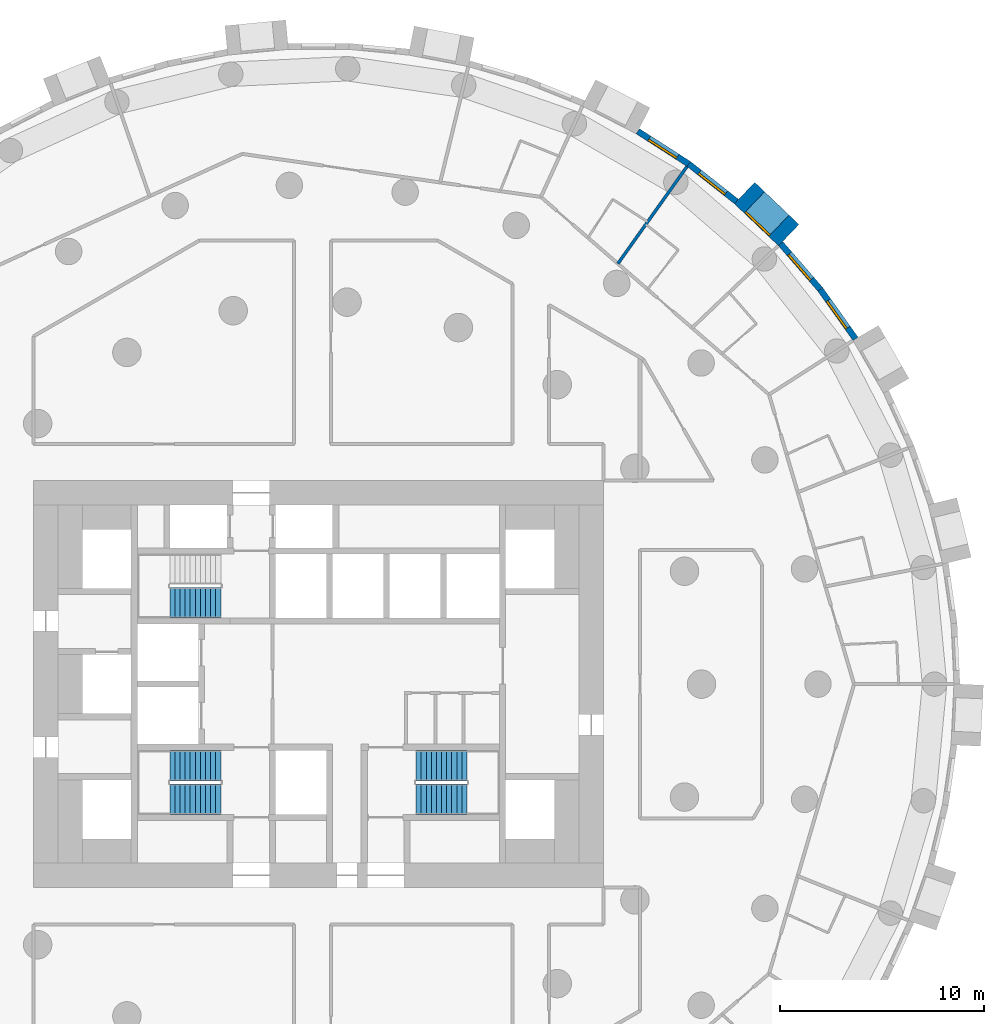
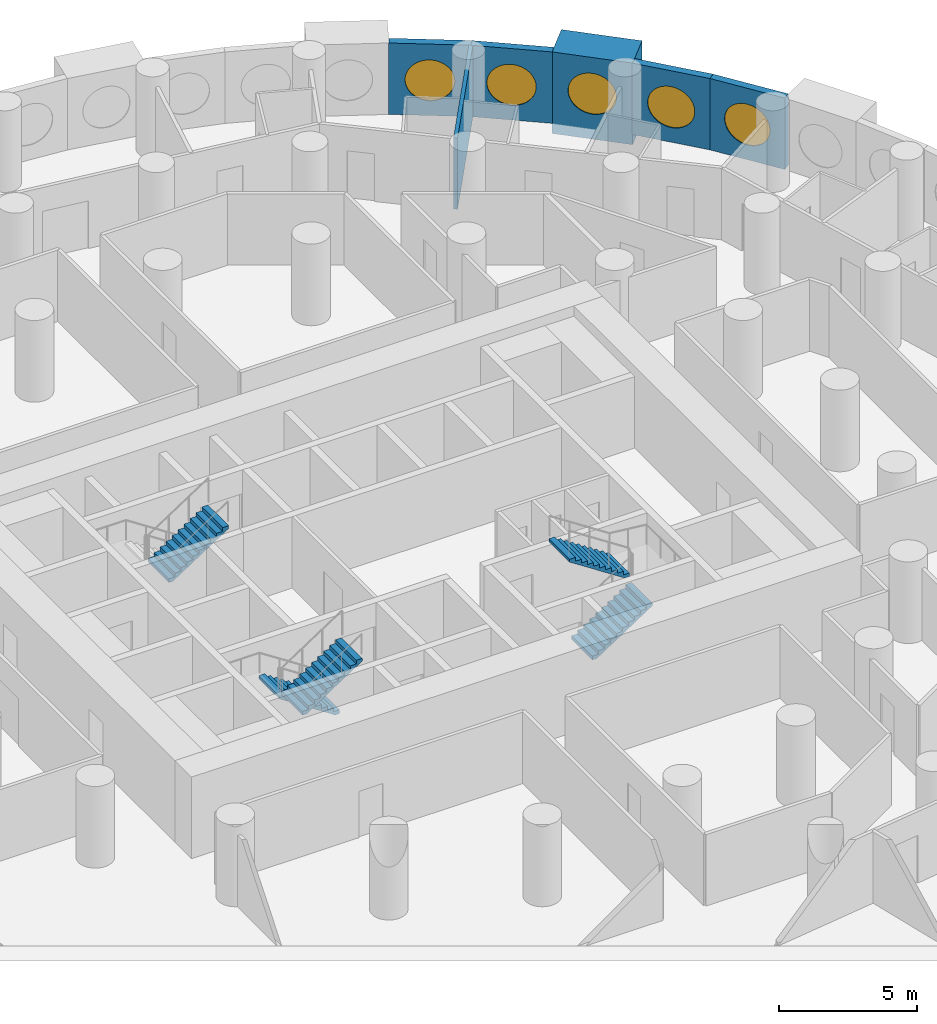
# One storey, part 10 of 12: 6 walls, 5 stair flights, 5 windows, 5 openings, 3 elements without a shape of their own.
"""IFC4 building model written with IfcOpenShell, lengths in metres."""

from ifc_helpers import new_model, si_unit, direction, frame, frame_2d, origin, origin_2d, place, context, subcontext, project, spatial, polyline, rectangle, circle, outline, extrude, material, layer, layer_set, type_object, element, fill, aggregate, save


model = new_model("IFC4")

# Units and contexts
model_context = context("Model", 3, precision=1e-05, world=origin(), true_north=direction((0.0, 1.0)))
body_context = subcontext(model_context, "Body", "Model", "MODEL_VIEW")
ifc_project = project(units=[si_unit("LENGTHUNIT", "METRE"), si_unit("AREAUNIT", "SQUARE_METRE"), si_unit("VOLUMEUNIT", "CUBIC_METRE"), si_unit("PLANEANGLEUNIT", "RADIAN"), si_unit("MASSUNIT", "GRAM", prefix="KILO")], contexts=[model_context])

# Site, building, storey
site_placement = place(None, origin())
site = spatial("IfcSite", under=ifc_project, at=site_placement, CompositionType="ELEMENT")
building_placement = place(site_placement, origin())
building = spatial("IfcBuilding", under=site, at=building_placement, Name="Tracery Tower", CompositionType="ELEMENT")
storey_placement = place(building_placement, frame((0.0, 0.0, 75.0)))
storey = spatial("IfcBuildingStorey", under=building, at=storey_placement, Name="L18", CompositionType="ELEMENT", Elevation=75.0)

# Wall, opening, window
ifc_material_1 = material(Name="Precast concrete C50/60", Category="concrete")
ifc_layer_1 = layer(ifc_material_1, 1.449951171875)
ifc_layer_set_1 = layer_set([ifc_layer_1], Name="Deep-set bay unit 3000 x 3600, slab edge 450")
wall_type_1 = type_object("IfcWallType", Name="Deep-set bay unit 3000 x 3600, slab edge 450", PredefinedType="ELEMENTEDWALL", material=ifc_layer_set_1)
wall_1_placement = place(storey_placement, frame((23.108642578125, 22.06201171875, -0.449951171875), z_axis=(0.0, 0.0, 1.0), x_axis=(-0.723712023899, 0.690102098579, 0.0)))
wall_1 = element("IfcWall", 1, at=wall_1_placement, inside=storey, type_object=wall_type_1, Name="Deep-set bay unit 9 at L18", PredefinedType="ELEMENTEDWALL", context=body_context, shape_type="SweptSolid", body=[
    extrude(rectangle(XDim=3.0, YDim=1.449951171875, at=frame_2d((1.5, 0.0))), origin(), (0.0, 0.0, 1.0), 3.599853515625),
])
opening_1_placement = place(wall_1_placement, frame((1.5, 0.0, 2.0)))
opening_1 = element("IfcOpeningElement", 2, at=opening_1_placement, cuts=wall_1, Name="Opening WN1", PredefinedType="OPENING", context=body_context, shape_type="SweptSolid", body=[
    extrude(circle(Radius=0.9000244140625, at=origin_2d()), frame((0.0, 0.73486328125, 0.0), z_axis=(0.0, -1.0, 0.0), x_axis=(1.0, 0.0, 0.0)), (0.0, 0.0, 1.0), 1.469970703125),
])
ifc_material_2 = material(Name="Aluminium frame with tinted double glazing", Category="aluminium")
window_type = type_object("IfcWindowType", Name="Round window 1800", PartitioningType="SINGLE_PANEL", PredefinedType="WINDOW", material=ifc_material_2)
window_1_placement = place(opening_1_placement, origin())
window_1 = element("IfcWindow", 3, at=window_1_placement, inside=storey, type_object=window_type, Name="Round window 9 at L18", OverallHeight=1.800048828125, OverallWidth=1.800048828125, PartitioningType="SINGLE_PANEL", PredefinedType="WINDOW", context=body_context, shape_type="SweptSolid", body=[
    extrude(circle(Radius=0.9000244140625, at=origin_2d()), frame((0.0, 0.69482421875, 0.0), z_axis=(0.0, -1.0, 0.0), x_axis=(1.0, 0.0, 0.0)), (0.0, 0.0, 1.0), 0.10009765625),
])
fill(opening_1, window_1)

ifc_material_3 = material(Name="Precast concrete C50/60", Category="concrete")
ifc_layer_2 = layer(ifc_material_3, 0.300048828125)
ifc_layer_set_2 = layer_set([ifc_layer_2], Name="Facade panel 3000 x 3150")
wall_type_2 = type_object("IfcWallType", Name="Facade panel 3000 x 3150", PredefinedType="SOLIDWALL", material=ifc_layer_set_2)
wall_2_placement = place(storey_placement, frame((26.390380859375, 16.96728515625, 0.0), z_axis=(0.0, 0.0, 1.0), x_axis=(-0.580113774115, 0.814535456, 0.0)))
wall_2 = element("IfcWall", 4, at=wall_2_placement, inside=storey, type_object=wall_type_2, Name="Facade panel 7 at L18", PredefinedType="SOLIDWALL", context=body_context, shape_type="SweptSolid", body=[
    extrude(rectangle(XDim=2.979736328125, YDim=0.300048828125, at=frame_2d((1.48974609375, 0.0))), origin(), (0.0, 0.0, 1.0), 3.14990234375),
])
opening_2_placement = place(wall_2_placement, frame((1.48974609375, 0.0, 1.5498046875)))
opening_2 = element("IfcOpeningElement", 5, at=opening_2_placement, cuts=wall_2, Name="Opening WN1", PredefinedType="OPENING", context=body_context, shape_type="SweptSolid", body=[
    extrude(circle(Radius=0.9000244140625, at=origin_2d()), frame((0.0, 0.159912109375, 0.0), z_axis=(0.0, -1.0, 0.0), x_axis=(1.0, 0.0, 0.0)), (0.0, 0.0, 1.0), 0.320068359375),
])
window_2_placement = place(opening_2_placement, origin())
window_2 = element("IfcWindow", 6, at=window_2_placement, inside=storey, type_object=window_type, Name="Round window 7 at L18", OverallHeight=1.800048828125, OverallWidth=1.800048828125, PartitioningType="SINGLE_PANEL", PredefinedType="WINDOW", context=body_context, shape_type="SweptSolid", body=[
    extrude(circle(Radius=0.9000244140625, at=origin_2d()), frame((0.0, 0.1201171875, 0.0), z_axis=(0.0, -1.0, 0.0), x_axis=(1.0, 0.0, 0.0)), (0.0, 0.0, 1.0), 0.10009765625),
])
fill(opening_2, window_2)

wall_3_placement = place(storey_placement, frame((24.661865234375, 19.394287109375, 0.0), z_axis=(0.0, 0.0, 1.0), x_axis=(-0.654830712471, 0.755775587066, 0.0)))
wall_3 = element("IfcWall", 7, at=wall_3_placement, inside=storey, type_object=wall_type_2, Name="Facade panel 8 at L18", PredefinedType="SOLIDWALL", context=body_context, shape_type="SweptSolid", body=[
    extrude(rectangle(XDim=2.979736328125, YDim=0.300048828125, at=frame_2d((1.48974609375, 0.0))), origin(), (0.0, 0.0, 1.0), 3.14990234375),
])
opening_3_placement = place(wall_3_placement, frame((1.48974609375, 0.0, 1.5498046875)))
opening_3 = element("IfcOpeningElement", 8, at=opening_3_placement, cuts=wall_3, Name="Opening WN1", PredefinedType="OPENING", context=body_context, shape_type="SweptSolid", body=[
    extrude(circle(Radius=0.9000244140625, at=origin_2d()), frame((0.0, 0.159912109375, 0.0), z_axis=(0.0, -1.0, 0.0), x_axis=(1.0, 0.0, 0.0)), (0.0, 0.0, 1.0), 0.320068359375),
])
window_3_placement = place(opening_3_placement, origin())
window_3 = element("IfcWindow", 9, at=window_3_placement, inside=storey, type_object=window_type, Name="Round window 8 at L18", OverallHeight=1.800048828125, OverallWidth=1.800048828125, PartitioningType="SINGLE_PANEL", PredefinedType="WINDOW", context=body_context, shape_type="SweptSolid", body=[
    extrude(circle(Radius=0.9000244140625, at=origin_2d()), frame((0.0, 0.1201171875, 0.0), z_axis=(0.0, -1.0, 0.0), x_axis=(1.0, 0.0, 0.0)), (0.0, 0.0, 1.0), 0.10009765625),
])
fill(opening_3, window_3)

wall_4_placement = place(storey_placement, frame((20.541015625, 23.715087890625, 0.0), z_axis=(0.0, 0.0, 1.0), x_axis=(-0.786053834673, 0.618158045322, 0.0)))
wall_4 = element("IfcWall", 10, at=wall_4_placement, inside=storey, type_object=wall_type_2, Name="Facade panel 10 at L18", PredefinedType="SOLIDWALL", context=body_context, shape_type="SweptSolid", body=[
    extrude(rectangle(XDim=2.9794921875, YDim=0.300048828125, at=frame_2d((1.48974609375, 0.0))), origin(), (0.0, 0.0, 1.0), 3.14990234375),
])
opening_4_placement = place(wall_4_placement, frame((1.48974609375, 0.0, 1.5498046875)))
opening_4 = element("IfcOpeningElement", 11, at=opening_4_placement, cuts=wall_4, Name="Opening WN1", PredefinedType="OPENING", context=body_context, shape_type="SweptSolid", body=[
    extrude(circle(Radius=0.9000244140625, at=origin_2d()), frame((0.0, 0.159912109375, 0.0), z_axis=(0.0, -1.0, 0.0), x_axis=(1.0, 0.0, 0.0)), (0.0, 0.0, 1.0), 0.320068359375),
])
window_4_placement = place(opening_4_placement, origin())
window_4 = element("IfcWindow", 12, at=window_4_placement, inside=storey, type_object=window_type, Name="Round window 10 at L18", OverallHeight=1.800048828125, OverallWidth=1.800048828125, PartitioningType="SINGLE_PANEL", PredefinedType="WINDOW", context=body_context, shape_type="SweptSolid", body=[
    extrude(circle(Radius=0.9000244140625, at=origin_2d()), frame((0.0, 0.1201171875, 0.0), z_axis=(0.0, -1.0, 0.0), x_axis=(1.0, 0.0, 0.0)), (0.0, 0.0, 1.0), 0.10009765625),
])
fill(opening_4, window_4)

wall_5_placement = place(storey_placement, frame((18.198974609375, 25.556884765625, 0.0), z_axis=(0.0, 0.0, 1.0), x_axis=(-0.841260995538, 0.54062920508, 0.0)))
wall_5 = element("IfcWall", 13, at=wall_5_placement, inside=storey, type_object=wall_type_2, Name="Facade panel 11 at L18", PredefinedType="SOLIDWALL", context=body_context, shape_type="SweptSolid", body=[
    extrude(rectangle(XDim=2.9794921875, YDim=0.300048828125, at=frame_2d((1.48974609375, 0.0))), origin(), (0.0, 0.0, 1.0), 3.14990234375),
])
opening_5_placement = place(wall_5_placement, frame((1.48974609375, 0.0, 1.5498046875)))
opening_5 = element("IfcOpeningElement", 14, at=opening_5_placement, cuts=wall_5, Name="Opening WN1", PredefinedType="OPENING", context=body_context, shape_type="SweptSolid", body=[
    extrude(circle(Radius=0.9000244140625, at=origin_2d()), frame((0.0, 0.159912109375, 0.0), z_axis=(0.0, -1.0, 0.0), x_axis=(1.0, 0.0, 0.0)), (0.0, 0.0, 1.0), 0.320068359375),
])
window_5_placement = place(opening_5_placement, origin())
window_5 = element("IfcWindow", 15, at=window_5_placement, inside=storey, type_object=window_type, Name="Round window 11 at L18", OverallHeight=1.800048828125, OverallWidth=1.800048828125, PartitioningType="SINGLE_PANEL", PredefinedType="WINDOW", context=body_context, shape_type="SweptSolid", body=[
    extrude(circle(Radius=0.9000244140625, at=origin_2d()), frame((0.0, 0.1201171875, 0.0), z_axis=(0.0, -1.0, 0.0), x_axis=(1.0, 0.0, 0.0)), (0.0, 0.0, 1.0), 0.10009765625),
])
fill(opening_5, window_5)

# Wall
ifc_material_4 = material(Name="Plasterboard on steel studs", Category="steel")
ifc_layer_3 = layer(ifc_material_4, 0.14990234375)
ifc_layer_set_3 = layer_set([ifc_layer_3], Name="Partition 150 acoustic unit wall")
wall_type_3 = type_object("IfcWallType", Name="Partition 150 acoustic unit wall", PredefinedType="PARTITIONING", material=ifc_layer_set_3)
wall_6_placement = place(storey_placement, frame((14.71533203125, 20.663818359375, 0.0), z_axis=(0.0, 0.0, 1.0), x_axis=(0.57995989616, 0.814645026282, 0.0)))
element("IfcWall", 16, at=wall_6_placement, inside=storey, type_object=wall_type_3, Name="Unit wall RA5-073", PredefinedType="PARTITIONING", context=body_context, shape_type="SweptSolid", body=[
    extrude(rectangle(XDim=5.85693359375, YDim=0.14990234375, at=frame_2d((2.928466796875, 0.0))), origin(), (0.0, 0.0, 1.0), 3.14990234375),
])

# Stair, stair flights
ifc_material_5 = material(Name="Concrete C32/40", Category="concrete")
stair_type = type_object("IfcStairType", Name="Core stair 22 risers", PredefinedType="HALF_TURN_STAIR", material=ifc_material_5)
stair_1_placement = place(storey_placement, origin())
stair_1 = element("IfcStair", 17, at=stair_1_placement, inside=storey, type_object=stair_type, Name="L18 stair ST1", PredefinedType="HALF_TURN_STAIR")
ifc_material_6 = material(Name="Concrete C32/40", Category="concrete")
stair_flight_type = type_object("IfcStairFlightType", Name="Core stair flight 11 risers", PredefinedType="STRAIGHT", material=ifc_material_6)
stair_flight_1_placement = place(storey_placement, frame((-4.800048828125, -4.0, 0.0), z_axis=(0.0, 0.0, 1.0), x_axis=(-1.0, 0.0, 0.0)))
stair_flight_1 = element("IfcStairFlight", 18, at=stair_flight_1_placement, type_object=stair_flight_type, Name="ST1 flight 1", NumberOfRisers=11, NumberOfTreads=10, PredefinedType="STRAIGHT", RiserHeight=0.163636364, TreadLength=0.25, context=body_context, shape_type="SweptSolid", body=[
    extrude(outline(polyline([(0.0, 0.0), (0.0, 0.002685546875), (0.0, 0.00537109375), (0.0, 0.008056640625), (0.0, 0.0107421875), (0.0, 0.013427734375), (0.0, 0.01611328125), (0.0, 0.018798828125), (0.0, 0.021484375), (0.0, 0.024169921875), (0.0, 0.02685546875), (0.0, 0.029541015625), (0.0, 0.0322265625), (0.0, 0.034912109375), (0.0, 0.03759765625), (0.0, 0.040283203125), (0.0, 0.04296875), (0.0, 0.045654296875), (0.0, 0.04833984375), (0.0, 0.051025390625), (0.0, 0.0537109375), (0.0, 0.056396484375), (0.0, 0.05908203125), (0.0, 0.061767578125), (0.0, 0.064453125), (0.0, 0.067138671875), (0.0, 0.06982421875), (0.0, 0.072509765625), (0.0, 0.0751953125), (0.0, 0.077880859375), (0.0, 0.08056640625), (0.0, 0.083251953125), (0.0, 0.0859375), (0.0, 0.088623046875), (0.0, 0.09130859375), (0.0, 0.093994140625), (0.0, 0.0966796875), (0.0, 0.099365234375), (0.0, 0.10205078125), (0.0, 0.104736328125), (0.0, 0.107421875), (0.0, 0.10986328125), (0.0, 0.112548828125), (0.0, 0.115234375), (0.0, 0.117919921875), (0.0, 0.12060546875), (0.0, 0.123291015625), (0.0, 0.1259765625), (0.0, 0.128662109375), (0.0, 0.13134765625), (0.0, 0.134033203125), (0.0, 0.13671875), (0.0, 0.139404296875), (0.0, 0.14208984375), (0.0, 0.144775390625), (0.0, 0.1474609375), (0.0, 0.150146484375), (0.0, 0.15283203125), (0.0, 0.155517578125), (0.0, 0.158203125), (0.0, 0.160888671875), (0.0, 0.16357421875), (0.25, 0.16357421875), (0.25, 0.327392578125), (0.5, 0.327392578125), (0.5, 0.490966796875), (0.75, 0.490966796875), (0.75, 0.654541015625), (1.0, 0.654541015625), (1.0, 0.818115234375), (1.25, 0.818115234375), (1.25, 0.98193359375), (1.5, 0.98193359375), (1.5, 1.1455078125), (1.75, 1.1455078125), (1.75, 1.30908203125), (2.0, 1.30908203125), (2.0, 1.47265625), (2.25, 1.47265625), (2.25, 1.636474609375), (2.5, 1.636474609375), (2.5, 1.634521484375), (2.5, 1.63232421875), (2.5, 1.63037109375), (2.5, 1.62841796875), (2.5, 1.62646484375), (2.5, 1.62451171875), (2.5, 1.62255859375), (2.5, 1.62060546875), (2.5, 1.61865234375), (2.5, 1.61669921875), (2.5, 1.61474609375), (2.5, 1.61279296875), (2.5, 1.61083984375), (2.5, 1.60888671875), (2.5, 1.60693359375), (2.5, 1.60498046875), (2.5, 1.60302734375), (2.5, 1.60107421875), (2.5, 1.59912109375), (2.5, 1.59716796875), (2.5, 1.59521484375), (2.5, 1.59326171875), (2.5, 1.59130859375), (2.5, 1.58935546875), (2.5, 1.58740234375), (2.5, 1.58544921875), (2.5, 1.58349609375), (2.5, 1.58154296875), (2.5, 1.57958984375), (2.5, 1.57763671875), (2.5, 1.57568359375), (2.5, 1.573486328125), (2.5, 1.571533203125), (2.5, 1.569580078125), (2.5, 1.567626953125), (2.5, 1.565673828125), (2.5, 1.563720703125), (2.5, 1.561767578125), (2.5, 1.559814453125), (2.5, 1.557861328125), (2.5, 1.555908203125), (2.5, 1.553955078125), (2.5, 1.552001953125), (2.5, 1.550048828125), (2.5, 1.548095703125), (2.5, 1.546142578125), (2.5, 1.544189453125), (2.5, 1.542236328125), (2.5, 1.540283203125), (2.5, 1.538330078125), (2.5, 1.536376953125), (2.5, 1.534423828125), (2.5, 1.532470703125), (2.5, 1.530517578125), (2.5, 1.528564453125), (2.5, 1.526611328125), (2.5, 1.524658203125), (2.5, 1.522705078125), (2.5, 1.520751953125), (2.5, 1.518798828125), (2.5, 1.516845703125), (0.182861328125, 0.0), (0.0, 0.0)])), frame((0.0, 0.75, 0.0), z_axis=(0.0, -1.0, 0.0), x_axis=(1.0, 0.0, 0.0)), (0.0, 0.0, 1.0), 1.5),
])
stair_flight_2_placement = place(storey_placement, frame((-7.300048828125, -5.64990234375, 1.800048828125), z_axis=(0.0, 0.0, 1.0), x_axis=(1.0, 0.0, 0.0)))
stair_flight_2 = element("IfcStairFlight", 19, at=stair_flight_2_placement, type_object=stair_flight_type, Name="ST1 flight 2", NumberOfRisers=11, NumberOfTreads=10, PredefinedType="STRAIGHT", RiserHeight=0.163636364, TreadLength=0.25, context=body_context, shape_type="SweptSolid", body=[
    extrude(outline(polyline([(0.0, 0.0), (0.0, 0.002685546875), (0.0, 0.00537109375), (0.0, 0.008056640625), (0.0, 0.0107421875), (0.0, 0.013427734375), (0.0, 0.01611328125), (0.0, 0.018798828125), (0.0, 0.021484375), (0.0, 0.024169921875), (0.0, 0.02685546875), (0.0, 0.029541015625), (0.0, 0.0322265625), (0.0, 0.034912109375), (0.0, 0.03759765625), (0.0, 0.040283203125), (0.0, 0.04296875), (0.0, 0.045654296875), (0.0, 0.04833984375), (0.0, 0.051025390625), (0.0, 0.0537109375), (0.0, 0.056396484375), (0.0, 0.05908203125), (0.0, 0.061767578125), (0.0, 0.064453125), (0.0, 0.067138671875), (0.0, 0.06982421875), (0.0, 0.072509765625), (0.0, 0.0751953125), (0.0, 0.077880859375), (0.0, 0.08056640625), (0.0, 0.083251953125), (0.0, 0.0859375), (0.0, 0.088623046875), (0.0, 0.09130859375), (0.0, 0.093994140625), (0.0, 0.0966796875), (0.0, 0.099365234375), (0.0, 0.10205078125), (0.0, 0.104736328125), (0.0, 0.107421875), (0.0, 0.10986328125), (0.0, 0.112548828125), (0.0, 0.115234375), (0.0, 0.117919921875), (0.0, 0.12060546875), (0.0, 0.123291015625), (0.0, 0.1259765625), (0.0, 0.128662109375), (0.0, 0.13134765625), (0.0, 0.134033203125), (0.0, 0.13671875), (0.0, 0.139404296875), (0.0, 0.14208984375), (0.0, 0.144775390625), (0.0, 0.1474609375), (0.0, 0.150146484375), (0.0, 0.15283203125), (0.0, 0.155517578125), (0.0, 0.158203125), (0.0, 0.160888671875), (0.0, 0.16357421875), (0.25, 0.16357421875), (0.25, 0.327392578125), (0.5, 0.327392578125), (0.5, 0.490966796875), (0.75, 0.490966796875), (0.75, 0.654541015625), (1.0, 0.654541015625), (1.0, 0.818115234375), (1.25, 0.818115234375), (1.25, 0.98193359375), (1.5, 0.98193359375), (1.5, 1.1455078125), (1.75, 1.1455078125), (1.75, 1.30908203125), (2.0, 1.30908203125), (2.0, 1.47265625), (2.25, 1.47265625), (2.25, 1.636474609375), (2.5, 1.636474609375), (2.5, 1.634521484375), (2.5, 1.63232421875), (2.5, 1.63037109375), (2.5, 1.62841796875), (2.5, 1.62646484375), (2.5, 1.62451171875), (2.5, 1.62255859375), (2.5, 1.62060546875), (2.5, 1.61865234375), (2.5, 1.61669921875), (2.5, 1.61474609375), (2.5, 1.61279296875), (2.5, 1.61083984375), (2.5, 1.60888671875), (2.5, 1.60693359375), (2.5, 1.60498046875), (2.5, 1.60302734375), (2.5, 1.60107421875), (2.5, 1.59912109375), (2.5, 1.59716796875), (2.5, 1.59521484375), (2.5, 1.59326171875), (2.5, 1.59130859375), (2.5, 1.58935546875), (2.5, 1.58740234375), (2.5, 1.58544921875), (2.5, 1.58349609375), (2.5, 1.58154296875), (2.5, 1.57958984375), (2.5, 1.57763671875), (2.5, 1.57568359375), (2.5, 1.573486328125), (2.5, 1.571533203125), (2.5, 1.569580078125), (2.5, 1.567626953125), (2.5, 1.565673828125), (2.5, 1.563720703125), (2.5, 1.561767578125), (2.5, 1.559814453125), (2.5, 1.557861328125), (2.5, 1.555908203125), (2.5, 1.553955078125), (2.5, 1.552001953125), (2.5, 1.550048828125), (2.5, 1.548095703125), (2.5, 1.546142578125), (2.5, 1.544189453125), (2.5, 1.542236328125), (2.5, 1.540283203125), (2.5, 1.538330078125), (2.5, 1.536376953125), (2.5, 1.534423828125), (2.5, 1.532470703125), (2.5, 1.530517578125), (2.5, 1.528564453125), (2.5, 1.526611328125), (2.5, 1.524658203125), (2.5, 1.522705078125), (2.5, 1.520751953125), (2.5, 1.518798828125), (2.5, 1.516845703125), (0.182861328125, 0.0), (0.0, 0.0)])), frame((0.0, 0.75, 0.0), z_axis=(0.0, -1.0, 0.0), x_axis=(1.0, 0.0, 0.0)), (0.0, 0.0, 1.0), 1.5),
])
aggregate(stair_1, [stair_flight_1, stair_flight_2])

# Stair, stair flight
stair_2_placement = place(storey_placement, origin())
stair_2 = element("IfcStair", 20, at=stair_2_placement, inside=storey, type_object=stair_type, Name="L18 stair ST3", PredefinedType="HALF_TURN_STAIR")
stair_flight_3_placement = place(storey_placement, frame((-7.300048828125, 4.0, 1.800048828125), z_axis=(0.0, 0.0, 1.0), x_axis=(1.0, 0.0, 0.0)))
stair_flight_3 = element("IfcStairFlight", 21, at=stair_flight_3_placement, type_object=stair_flight_type, Name="ST3 flight 2", NumberOfRisers=11, NumberOfTreads=10, PredefinedType="STRAIGHT", RiserHeight=0.163636364, TreadLength=0.25, context=body_context, shape_type="SweptSolid", body=[
    extrude(outline(polyline([(0.0, 0.0), (0.0, 0.002685546875), (0.0, 0.00537109375), (0.0, 0.008056640625), (0.0, 0.0107421875), (0.0, 0.013427734375), (0.0, 0.01611328125), (0.0, 0.018798828125), (0.0, 0.021484375), (0.0, 0.024169921875), (0.0, 0.02685546875), (0.0, 0.029541015625), (0.0, 0.0322265625), (0.0, 0.034912109375), (0.0, 0.03759765625), (0.0, 0.040283203125), (0.0, 0.04296875), (0.0, 0.045654296875), (0.0, 0.04833984375), (0.0, 0.051025390625), (0.0, 0.0537109375), (0.0, 0.056396484375), (0.0, 0.05908203125), (0.0, 0.061767578125), (0.0, 0.064453125), (0.0, 0.067138671875), (0.0, 0.06982421875), (0.0, 0.072509765625), (0.0, 0.0751953125), (0.0, 0.077880859375), (0.0, 0.08056640625), (0.0, 0.083251953125), (0.0, 0.0859375), (0.0, 0.088623046875), (0.0, 0.09130859375), (0.0, 0.093994140625), (0.0, 0.0966796875), (0.0, 0.099365234375), (0.0, 0.10205078125), (0.0, 0.104736328125), (0.0, 0.107421875), (0.0, 0.10986328125), (0.0, 0.112548828125), (0.0, 0.115234375), (0.0, 0.117919921875), (0.0, 0.12060546875), (0.0, 0.123291015625), (0.0, 0.1259765625), (0.0, 0.128662109375), (0.0, 0.13134765625), (0.0, 0.134033203125), (0.0, 0.13671875), (0.0, 0.139404296875), (0.0, 0.14208984375), (0.0, 0.144775390625), (0.0, 0.1474609375), (0.0, 0.150146484375), (0.0, 0.15283203125), (0.0, 0.155517578125), (0.0, 0.158203125), (0.0, 0.160888671875), (0.0, 0.16357421875), (0.25, 0.16357421875), (0.25, 0.327392578125), (0.5, 0.327392578125), (0.5, 0.490966796875), (0.75, 0.490966796875), (0.75, 0.654541015625), (1.0, 0.654541015625), (1.0, 0.818115234375), (1.25, 0.818115234375), (1.25, 0.98193359375), (1.5, 0.98193359375), (1.5, 1.1455078125), (1.75, 1.1455078125), (1.75, 1.30908203125), (2.0, 1.30908203125), (2.0, 1.47265625), (2.25, 1.47265625), (2.25, 1.636474609375), (2.5, 1.636474609375), (2.5, 1.634521484375), (2.5, 1.63232421875), (2.5, 1.63037109375), (2.5, 1.62841796875), (2.5, 1.62646484375), (2.5, 1.62451171875), (2.5, 1.62255859375), (2.5, 1.62060546875), (2.5, 1.61865234375), (2.5, 1.61669921875), (2.5, 1.61474609375), (2.5, 1.61279296875), (2.5, 1.61083984375), (2.5, 1.60888671875), (2.5, 1.60693359375), (2.5, 1.60498046875), (2.5, 1.60302734375), (2.5, 1.60107421875), (2.5, 1.59912109375), (2.5, 1.59716796875), (2.5, 1.59521484375), (2.5, 1.59326171875), (2.5, 1.59130859375), (2.5, 1.58935546875), (2.5, 1.58740234375), (2.5, 1.58544921875), (2.5, 1.58349609375), (2.5, 1.58154296875), (2.5, 1.57958984375), (2.5, 1.57763671875), (2.5, 1.57568359375), (2.5, 1.573486328125), (2.5, 1.571533203125), (2.5, 1.569580078125), (2.5, 1.567626953125), (2.5, 1.565673828125), (2.5, 1.563720703125), (2.5, 1.561767578125), (2.5, 1.559814453125), (2.5, 1.557861328125), (2.5, 1.555908203125), (2.5, 1.553955078125), (2.5, 1.552001953125), (2.5, 1.550048828125), (2.5, 1.548095703125), (2.5, 1.546142578125), (2.5, 1.544189453125), (2.5, 1.542236328125), (2.5, 1.540283203125), (2.5, 1.538330078125), (2.5, 1.536376953125), (2.5, 1.534423828125), (2.5, 1.532470703125), (2.5, 1.530517578125), (2.5, 1.528564453125), (2.5, 1.526611328125), (2.5, 1.524658203125), (2.5, 1.522705078125), (2.5, 1.520751953125), (2.5, 1.518798828125), (2.5, 1.516845703125), (0.182861328125, 0.0), (0.0, 0.0)])), frame((0.0, 0.75, 0.0), z_axis=(0.0, -1.0, 0.0), x_axis=(1.0, 0.0, 0.0)), (0.0, 0.0, 1.0), 1.5),
])
aggregate(stair_2, [stair_flight_3])

# Stair, stair flights
stair_3_placement = place(storey_placement, origin())
stair_3 = element("IfcStair", 22, at=stair_3_placement, inside=storey, type_object=stair_type, Name="L18 stair ST2", PredefinedType="HALF_TURN_STAIR")
stair_flight_4_placement = place(storey_placement, frame((4.800048828125, -5.64990234375, 0.0), z_axis=(0.0, 0.0, 1.0), x_axis=(1.0, 0.0, 0.0)))
stair_flight_4 = element("IfcStairFlight", 23, at=stair_flight_4_placement, type_object=stair_flight_type, Name="ST2 flight 1", NumberOfRisers=11, NumberOfTreads=10, PredefinedType="STRAIGHT", RiserHeight=0.163636364, TreadLength=0.25, context=body_context, shape_type="SweptSolid", body=[
    extrude(outline(polyline([(0.0, 0.0), (0.0, 0.002685546875), (0.0, 0.00537109375), (0.0, 0.008056640625), (0.0, 0.0107421875), (0.0, 0.013427734375), (0.0, 0.01611328125), (0.0, 0.018798828125), (0.0, 0.021484375), (0.0, 0.024169921875), (0.0, 0.02685546875), (0.0, 0.029541015625), (0.0, 0.0322265625), (0.0, 0.034912109375), (0.0, 0.03759765625), (0.0, 0.040283203125), (0.0, 0.04296875), (0.0, 0.045654296875), (0.0, 0.04833984375), (0.0, 0.051025390625), (0.0, 0.0537109375), (0.0, 0.056396484375), (0.0, 0.05908203125), (0.0, 0.061767578125), (0.0, 0.064453125), (0.0, 0.067138671875), (0.0, 0.06982421875), (0.0, 0.072509765625), (0.0, 0.0751953125), (0.0, 0.077880859375), (0.0, 0.08056640625), (0.0, 0.083251953125), (0.0, 0.0859375), (0.0, 0.088623046875), (0.0, 0.09130859375), (0.0, 0.093994140625), (0.0, 0.0966796875), (0.0, 0.099365234375), (0.0, 0.10205078125), (0.0, 0.104736328125), (0.0, 0.107421875), (0.0, 0.10986328125), (0.0, 0.112548828125), (0.0, 0.115234375), (0.0, 0.117919921875), (0.0, 0.12060546875), (0.0, 0.123291015625), (0.0, 0.1259765625), (0.0, 0.128662109375), (0.0, 0.13134765625), (0.0, 0.134033203125), (0.0, 0.13671875), (0.0, 0.139404296875), (0.0, 0.14208984375), (0.0, 0.144775390625), (0.0, 0.1474609375), (0.0, 0.150146484375), (0.0, 0.15283203125), (0.0, 0.155517578125), (0.0, 0.158203125), (0.0, 0.160888671875), (0.0, 0.16357421875), (0.25, 0.16357421875), (0.25, 0.327392578125), (0.5, 0.327392578125), (0.5, 0.490966796875), (0.75, 0.490966796875), (0.75, 0.654541015625), (1.0, 0.654541015625), (1.0, 0.818115234375), (1.25, 0.818115234375), (1.25, 0.98193359375), (1.5, 0.98193359375), (1.5, 1.1455078125), (1.75, 1.1455078125), (1.75, 1.30908203125), (2.0, 1.30908203125), (2.0, 1.47265625), (2.25, 1.47265625), (2.25, 1.636474609375), (2.5, 1.636474609375), (2.5, 1.634521484375), (2.5, 1.63232421875), (2.5, 1.63037109375), (2.5, 1.62841796875), (2.5, 1.62646484375), (2.5, 1.62451171875), (2.5, 1.62255859375), (2.5, 1.62060546875), (2.5, 1.61865234375), (2.5, 1.61669921875), (2.5, 1.61474609375), (2.5, 1.61279296875), (2.5, 1.61083984375), (2.5, 1.60888671875), (2.5, 1.60693359375), (2.5, 1.60498046875), (2.5, 1.60302734375), (2.5, 1.60107421875), (2.5, 1.59912109375), (2.5, 1.59716796875), (2.5, 1.59521484375), (2.5, 1.59326171875), (2.5, 1.59130859375), (2.5, 1.58935546875), (2.5, 1.58740234375), (2.5, 1.58544921875), (2.5, 1.58349609375), (2.5, 1.58154296875), (2.5, 1.57958984375), (2.5, 1.57763671875), (2.5, 1.57568359375), (2.5, 1.573486328125), (2.5, 1.571533203125), (2.5, 1.569580078125), (2.5, 1.567626953125), (2.5, 1.565673828125), (2.5, 1.563720703125), (2.5, 1.561767578125), (2.5, 1.559814453125), (2.5, 1.557861328125), (2.5, 1.555908203125), (2.5, 1.553955078125), (2.5, 1.552001953125), (2.5, 1.550048828125), (2.5, 1.548095703125), (2.5, 1.546142578125), (2.5, 1.544189453125), (2.5, 1.542236328125), (2.5, 1.540283203125), (2.5, 1.538330078125), (2.5, 1.536376953125), (2.5, 1.534423828125), (2.5, 1.532470703125), (2.5, 1.530517578125), (2.5, 1.528564453125), (2.5, 1.526611328125), (2.5, 1.524658203125), (2.5, 1.522705078125), (2.5, 1.520751953125), (2.5, 1.518798828125), (2.5, 1.516845703125), (0.182861328125, 0.0), (0.0, 0.0)])), frame((0.0, 0.75, 0.0), z_axis=(0.0, -1.0, 0.0), x_axis=(1.0, 0.0, 0.0)), (0.0, 0.0, 1.0), 1.5),
])
stair_flight_5_placement = place(storey_placement, frame((7.300048828125, -4.0, 1.800048828125), z_axis=(0.0, 0.0, 1.0), x_axis=(-1.0, 0.0, 0.0)))
stair_flight_5 = element("IfcStairFlight", 24, at=stair_flight_5_placement, type_object=stair_flight_type, Name="ST2 flight 2", NumberOfRisers=11, NumberOfTreads=10, PredefinedType="STRAIGHT", RiserHeight=0.163636364, TreadLength=0.25, context=body_context, shape_type="SweptSolid", body=[
    extrude(outline(polyline([(0.0, 0.0), (0.0, 0.002685546875), (0.0, 0.00537109375), (0.0, 0.008056640625), (0.0, 0.0107421875), (0.0, 0.013427734375), (0.0, 0.01611328125), (0.0, 0.018798828125), (0.0, 0.021484375), (0.0, 0.024169921875), (0.0, 0.02685546875), (0.0, 0.029541015625), (0.0, 0.0322265625), (0.0, 0.034912109375), (0.0, 0.03759765625), (0.0, 0.040283203125), (0.0, 0.04296875), (0.0, 0.045654296875), (0.0, 0.04833984375), (0.0, 0.051025390625), (0.0, 0.0537109375), (0.0, 0.056396484375), (0.0, 0.05908203125), (0.0, 0.061767578125), (0.0, 0.064453125), (0.0, 0.067138671875), (0.0, 0.06982421875), (0.0, 0.072509765625), (0.0, 0.0751953125), (0.0, 0.077880859375), (0.0, 0.08056640625), (0.0, 0.083251953125), (0.0, 0.0859375), (0.0, 0.088623046875), (0.0, 0.09130859375), (0.0, 0.093994140625), (0.0, 0.0966796875), (0.0, 0.099365234375), (0.0, 0.10205078125), (0.0, 0.104736328125), (0.0, 0.107421875), (0.0, 0.10986328125), (0.0, 0.112548828125), (0.0, 0.115234375), (0.0, 0.117919921875), (0.0, 0.12060546875), (0.0, 0.123291015625), (0.0, 0.1259765625), (0.0, 0.128662109375), (0.0, 0.13134765625), (0.0, 0.134033203125), (0.0, 0.13671875), (0.0, 0.139404296875), (0.0, 0.14208984375), (0.0, 0.144775390625), (0.0, 0.1474609375), (0.0, 0.150146484375), (0.0, 0.15283203125), (0.0, 0.155517578125), (0.0, 0.158203125), (0.0, 0.160888671875), (0.0, 0.16357421875), (0.25, 0.16357421875), (0.25, 0.327392578125), (0.5, 0.327392578125), (0.5, 0.490966796875), (0.75, 0.490966796875), (0.75, 0.654541015625), (1.0, 0.654541015625), (1.0, 0.818115234375), (1.25, 0.818115234375), (1.25, 0.98193359375), (1.5, 0.98193359375), (1.5, 1.1455078125), (1.75, 1.1455078125), (1.75, 1.30908203125), (2.0, 1.30908203125), (2.0, 1.47265625), (2.25, 1.47265625), (2.25, 1.636474609375), (2.5, 1.636474609375), (2.5, 1.634521484375), (2.5, 1.63232421875), (2.5, 1.63037109375), (2.5, 1.62841796875), (2.5, 1.62646484375), (2.5, 1.62451171875), (2.5, 1.62255859375), (2.5, 1.62060546875), (2.5, 1.61865234375), (2.5, 1.61669921875), (2.5, 1.61474609375), (2.5, 1.61279296875), (2.5, 1.61083984375), (2.5, 1.60888671875), (2.5, 1.60693359375), (2.5, 1.60498046875), (2.5, 1.60302734375), (2.5, 1.60107421875), (2.5, 1.59912109375), (2.5, 1.59716796875), (2.5, 1.59521484375), (2.5, 1.59326171875), (2.5, 1.59130859375), (2.5, 1.58935546875), (2.5, 1.58740234375), (2.5, 1.58544921875), (2.5, 1.58349609375), (2.5, 1.58154296875), (2.5, 1.57958984375), (2.5, 1.57763671875), (2.5, 1.57568359375), (2.5, 1.573486328125), (2.5, 1.571533203125), (2.5, 1.569580078125), (2.5, 1.567626953125), (2.5, 1.565673828125), (2.5, 1.563720703125), (2.5, 1.561767578125), (2.5, 1.559814453125), (2.5, 1.557861328125), (2.5, 1.555908203125), (2.5, 1.553955078125), (2.5, 1.552001953125), (2.5, 1.550048828125), (2.5, 1.548095703125), (2.5, 1.546142578125), (2.5, 1.544189453125), (2.5, 1.542236328125), (2.5, 1.540283203125), (2.5, 1.538330078125), (2.5, 1.536376953125), (2.5, 1.534423828125), (2.5, 1.532470703125), (2.5, 1.530517578125), (2.5, 1.528564453125), (2.5, 1.526611328125), (2.5, 1.524658203125), (2.5, 1.522705078125), (2.5, 1.520751953125), (2.5, 1.518798828125), (2.5, 1.516845703125), (0.182861328125, 0.0), (0.0, 0.0)])), frame((0.0, 0.75, 0.0), z_axis=(0.0, -1.0, 0.0), x_axis=(1.0, 0.0, 0.0)), (0.0, 0.0, 1.0), 1.5),
])
aggregate(stair_3, [stair_flight_4, stair_flight_5])

save(model, "model.ifc")
